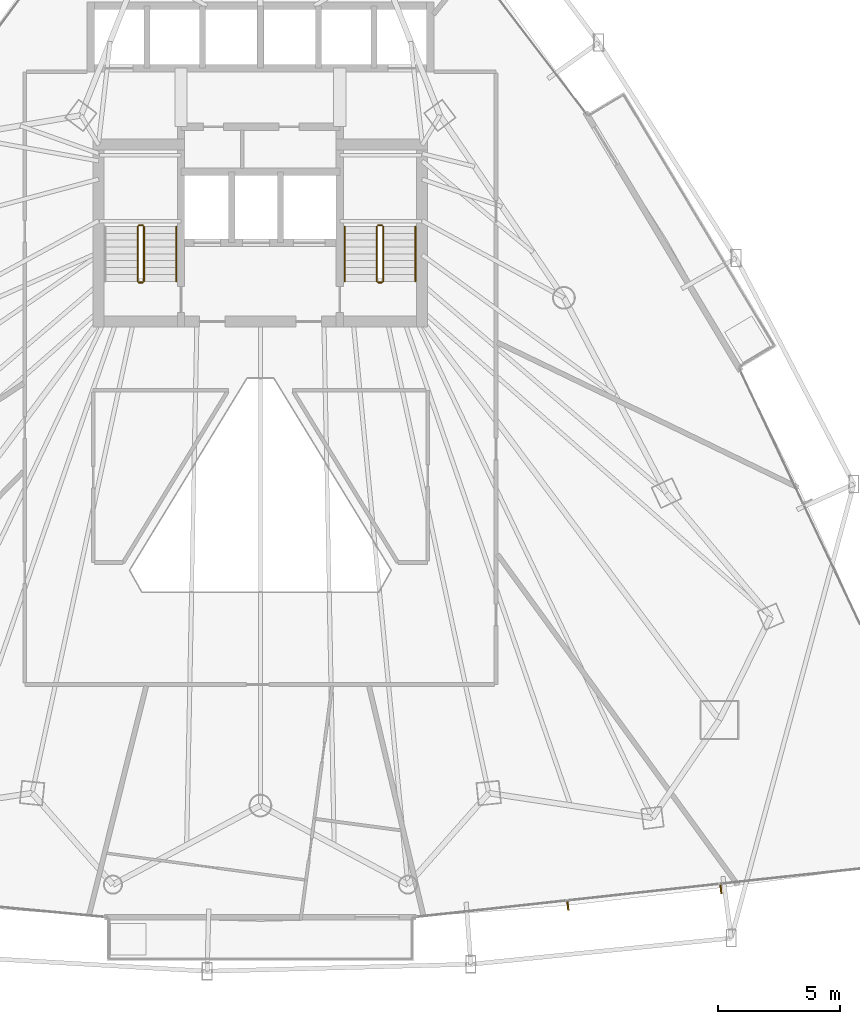
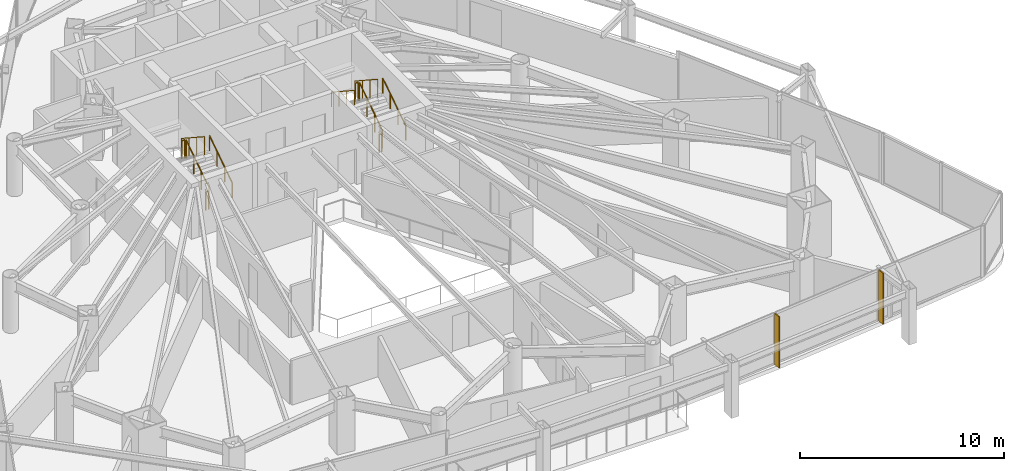
# One storey, part 32 of 33: 11 railings, 2 shading devices.
"""IFC4 building model written with IfcOpenShell, lengths in metres."""

from ifc_helpers import new_model, si_unit, direction, frame, origin, origin_2d, place, context, subcontext, project, spatial, rectangle, circle, extrude, material, layer, layer_set, type_object, element, save


model = new_model("IFC4")

# Units and contexts
model_context = context("Model", 3, precision=1e-05, world=origin(), true_north=direction((0.0, 1.0)))
body_context = subcontext(model_context, "Body", "Model", "MODEL_VIEW")
ifc_project = project(units=[si_unit("LENGTHUNIT", "METRE"), si_unit("AREAUNIT", "SQUARE_METRE"), si_unit("VOLUMEUNIT", "CUBIC_METRE"), si_unit("PLANEANGLEUNIT", "RADIAN"), si_unit("MASSUNIT", "GRAM", prefix="KILO")], contexts=[model_context])

# Site, building, storey
site_placement = place(None, origin())
site = spatial("IfcSite", under=ifc_project, at=site_placement, CompositionType="ELEMENT")
building_placement = place(site_placement, origin())
building = spatial("IfcBuilding", under=site, at=building_placement, Name="Orvanel Arch Residences", CompositionType="ELEMENT")
storey_placement = place(building_placement, frame((0.0, 0.0, 84.050048828125)))
storey = spatial("IfcBuildingStorey", under=building, at=storey_placement, Name="L23", CompositionType="ELEMENT", Elevation=84.050048828125)

# Shading devices
ifc_material_1 = material(Name="Bronze-anodised aluminium AA6063-T6", Category="aluminium")
ifc_layer = layer(ifc_material_1, 0.06005859375)
ifc_layer_set = layer_set([ifc_layer], Name="Bronze-anodised aluminium AA6063-T6")
shading_device_type = type_object("IfcShadingDeviceType", Name="FIN-BRZ-380", PredefinedType="USERDEFINED", material=ifc_layer_set)
for number, where, z_axis, x_axis, name in (
    (1, (45.593994140625, 2.739013671875, 0.0), (0.0, 0.0, 1.0), (0.107999355706, -0.994150963972, 0.0), "L23 Anodised Bronze Mullion FIN 01"),
    (2, (51.863037109375, 3.422119140625, 0.0), (0.0, 0.0, 1.0), (0.107999355706, -0.994150963972, 0.0), "L23 Anodised Bronze Mullion FIN 02"),
):
    element("IfcShadingDevice", number, at=place(storey_placement, frame(where, z_axis=z_axis, x_axis=x_axis)), inside=storey, type_object=shading_device_type, Name=name, ObjectType="FIN", PredefinedType="USERDEFINED", context=body_context, shape_type="SweptSolid", body=[
        extrude(rectangle(XDim=0.3798828125, YDim=0.06005859375, at=origin_2d()), origin(), (0.0, 0.0, 1.0), 3.06005859375),
    ])

# Railings
ifc_material_2 = material(Name="Structural steel AS/NZS 1163 C350L0 (Grade 350)", Category="steel")
railing_type_1 = type_object("IfcRailingType", Name="RL-STAIR-GUARD", PredefinedType="GUARDRAIL", material=ifc_material_2)
railing_1_placement = place(storey_placement, frame((28.22998046875, 28.320068359375, 0.183349609375)))
element("IfcRailing", 3, at=railing_1_placement, inside=storey, type_object=railing_type_1, Name="L23 ST-1 stair guard 1", PredefinedType="GUARDRAIL", context=body_context, shape_type="SweptSolid", body=[
    extrude(circle(Radius=0.02392578125, at=origin_2d()), frame((0.0, 0.001220703125, 1.076904296875), z_axis=(0.0, 0.836636935527, 0.547757827979), x_axis=(-1.0, 0.0, 0.0)), (0.0, 0.0, 1.0), 2.67431640625),
    extrude(circle(Radius=0.02099609375, at=origin_2d()), origin(), (0.0, 0.0, 1.0), 1.050048828125),
    extrude(circle(Radius=0.02099609375, at=origin_2d()), frame((0.0, 0.74658203125, 0.48876953125)), (0.0, 0.0, 1.0), 1.050048828125),
    extrude(circle(Radius=0.02099609375, at=origin_2d()), frame((0.0, 1.493408203125, 0.977783203125)), (0.0, 0.0, 1.0), 1.050048828125),
    extrude(circle(Radius=0.02099609375, at=origin_2d()), frame((0.0, 2.239990234375, 1.466552734375)), (0.0, 0.0, 1.0), 1.050048828125),
])
railing_2_placement = place(storey_placement, frame((28.179931640625, 30.610107421875, 1.64990234375)))
element("IfcRailing", 4, at=railing_2_placement, inside=storey, type_object=railing_type_1, Name="L23 ST-1 stair guard 2", PredefinedType="GUARDRAIL", context=body_context, shape_type="SweptSolid", body=[
    extrude(circle(Radius=0.02392578125, at=origin_2d()), frame((-0.00146484375, 0.0, 1.076171875), z_axis=(-1.0, 0.0, 0.0), x_axis=(0.0, -1.0, 0.0)), (0.0, 0.0, 1.0), 0.156982421875),
    extrude(circle(Radius=0.02099609375, at=origin_2d()), origin(), (0.0, 0.0, 1.0), 1.050048828125),
    extrude(circle(Radius=0.02099609375, at=origin_2d()), frame((-0.159912109375, 0.0, 0.0)), (0.0, 0.0, 1.0), 1.050048828125),
])
railing_3_placement = place(storey_placement, frame((27.969970703125, 30.56005859375, 1.833251953125)))
element("IfcRailing", 5, at=railing_3_placement, inside=storey, type_object=railing_type_1, Name="L23 ST-1 stair guard 3", PredefinedType="GUARDRAIL", context=body_context, shape_type="SweptSolid", body=[
    extrude(circle(Radius=0.02392578125, at=origin_2d()), frame((0.0, -0.001220703125, 1.076904296875), z_axis=(0.0, -0.836595146698, 0.547821650285), x_axis=(1.0, 0.0, 0.0)), (0.0, 0.0, 1.0), 2.674560546875),
    extrude(circle(Radius=0.02099609375, at=origin_2d()), origin(), (0.0, 0.0, 1.0), 1.050048828125),
    extrude(circle(Radius=0.02099609375, at=origin_2d()), frame((0.0, -0.74658203125, 0.489013671875)), (0.0, 0.0, 1.0), 1.050048828125),
    extrude(circle(Radius=0.02099609375, at=origin_2d()), frame((0.0, -1.493408203125, 0.977783203125)), (0.0, 0.0, 1.0), 1.050048828125),
    extrude(circle(Radius=0.02099609375, at=origin_2d()), frame((0.0, -2.239990234375, 1.466796875)), (0.0, 0.0, 1.0), 1.050048828125),
])
railing_4_placement = place(storey_placement, frame((28.179931640625, 28.27001953125, 0.0)))
element("IfcRailing", 6, at=railing_4_placement, inside=storey, type_object=railing_type_1, Name="L23 ST-1 stair guard 4", PredefinedType="GUARDRAIL", context=body_context, shape_type="SweptSolid", body=[
    extrude(circle(Radius=0.02392578125, at=origin_2d()), frame((-0.00146484375, 0.0, 1.076171875), z_axis=(-1.0, 0.0, 0.0), x_axis=(0.0, -1.0, 0.0)), (0.0, 0.0, 1.0), 0.156982421875),
    extrude(circle(Radius=0.02099609375, at=origin_2d()), origin(), (0.0, 0.0, 1.0), 1.050048828125),
    extrude(circle(Radius=0.02099609375, at=origin_2d()), frame((-0.159912109375, 0.0, 0.0)), (0.0, 0.0, 1.0), 1.050048828125),
])
railing_5_placement = place(storey_placement, frame((38.030029296875, 28.320068359375, 0.183349609375)))
element("IfcRailing", 7, at=railing_5_placement, inside=storey, type_object=railing_type_1, Name="L23 ST-2 stair guard 1", PredefinedType="GUARDRAIL", context=body_context, shape_type="SweptSolid", body=[
    extrude(circle(Radius=0.02392578125, at=origin_2d()), frame((0.0, 0.001220703125, 1.076904296875), z_axis=(0.0, 0.836636935527, 0.547757827979), x_axis=(-1.0, 0.0, 0.0)), (0.0, 0.0, 1.0), 2.67431640625),
    extrude(circle(Radius=0.02099609375, at=origin_2d()), origin(), (0.0, 0.0, 1.0), 1.050048828125),
    extrude(circle(Radius=0.02099609375, at=origin_2d()), frame((0.0, 0.74658203125, 0.48876953125)), (0.0, 0.0, 1.0), 1.050048828125),
    extrude(circle(Radius=0.02099609375, at=origin_2d()), frame((0.0, 1.493408203125, 0.977783203125)), (0.0, 0.0, 1.0), 1.050048828125),
    extrude(circle(Radius=0.02099609375, at=origin_2d()), frame((0.0, 2.239990234375, 1.466552734375)), (0.0, 0.0, 1.0), 1.050048828125),
])
railing_6_placement = place(storey_placement, frame((37.97998046875, 30.610107421875, 1.64990234375)))
element("IfcRailing", 8, at=railing_6_placement, inside=storey, type_object=railing_type_1, Name="L23 ST-2 stair guard 2", PredefinedType="GUARDRAIL", context=body_context, shape_type="SweptSolid", body=[
    extrude(circle(Radius=0.02392578125, at=origin_2d()), frame((-0.00146484375, 0.0, 1.076171875), z_axis=(-1.0, 0.0, 0.0), x_axis=(0.0, -1.0, 0.0)), (0.0, 0.0, 1.0), 0.156982421875),
    extrude(circle(Radius=0.02099609375, at=origin_2d()), origin(), (0.0, 0.0, 1.0), 1.050048828125),
    extrude(circle(Radius=0.02099609375, at=origin_2d()), frame((-0.159912109375, 0.0, 0.0)), (0.0, 0.0, 1.0), 1.050048828125),
])
railing_7_placement = place(storey_placement, frame((37.77001953125, 30.56005859375, 1.833251953125)))
element("IfcRailing", 9, at=railing_7_placement, inside=storey, type_object=railing_type_1, Name="L23 ST-2 stair guard 3", PredefinedType="GUARDRAIL", context=body_context, shape_type="SweptSolid", body=[
    extrude(circle(Radius=0.02392578125, at=origin_2d()), frame((0.0, -0.001220703125, 1.076904296875), z_axis=(0.0, -0.836595146698, 0.547821650285), x_axis=(1.0, 0.0, 0.0)), (0.0, 0.0, 1.0), 2.674560546875),
    extrude(circle(Radius=0.02099609375, at=origin_2d()), origin(), (0.0, 0.0, 1.0), 1.050048828125),
    extrude(circle(Radius=0.02099609375, at=origin_2d()), frame((0.0, -0.74658203125, 0.489013671875)), (0.0, 0.0, 1.0), 1.050048828125),
    extrude(circle(Radius=0.02099609375, at=origin_2d()), frame((0.0, -1.493408203125, 0.977783203125)), (0.0, 0.0, 1.0), 1.050048828125),
    extrude(circle(Radius=0.02099609375, at=origin_2d()), frame((0.0, -2.239990234375, 1.466796875)), (0.0, 0.0, 1.0), 1.050048828125),
])
railing_8_placement = place(storey_placement, frame((37.97998046875, 28.27001953125, 0.0)))
element("IfcRailing", 10, at=railing_8_placement, inside=storey, type_object=railing_type_1, Name="L23 ST-2 stair guard 4", PredefinedType="GUARDRAIL", context=body_context, shape_type="SweptSolid", body=[
    extrude(circle(Radius=0.02392578125, at=origin_2d()), frame((-0.00146484375, 0.0, 1.076171875), z_axis=(-1.0, 0.0, 0.0), x_axis=(0.0, -1.0, 0.0)), (0.0, 0.0, 1.0), 0.156982421875),
    extrude(circle(Radius=0.02099609375, at=origin_2d()), origin(), (0.0, 0.0, 1.0), 1.050048828125),
    extrude(circle(Radius=0.02099609375, at=origin_2d()), frame((-0.159912109375, 0.0, 0.0)), (0.0, 0.0, 1.0), 1.050048828125),
])
railing_type_2 = type_object("IfcRailingType", Name="RL-STAIR-HAND", PredefinedType="HANDRAIL", material=ifc_material_2)
for number, where, name in (
    (11, (29.550048828125, 28.320068359375, 0.183349609375), "L23 ST-1 stair handrail 1"),
    (12, (39.35009765625, 28.320068359375, 0.183349609375), "L23 ST-2 stair handrail 1"),
):
    element("IfcRailing", number, at=place(storey_placement, frame(where)), inside=storey, type_object=railing_type_2, Name=name, PredefinedType="HANDRAIL", context=body_context, shape_type="SweptSolid", body=[
        extrude(circle(Radius=0.02392578125, at=origin_2d()), frame((0.0, 0.001220703125, 0.876708984375), z_axis=(0.0, 0.836636935527, 0.547757827979), x_axis=(-1.0, 0.0, 0.0)), (0.0, 0.0, 1.0), 2.67431640625),
        extrude(circle(Radius=0.02099609375, at=origin_2d()), origin(), (0.0, 0.0, 1.0), 0.849853515625),
        extrude(circle(Radius=0.02099609375, at=origin_2d()), frame((0.0, 0.74658203125, 0.48876953125)), (0.0, 0.0, 1.0), 0.849853515625),
        extrude(circle(Radius=0.02099609375, at=origin_2d()), frame((0.0, 1.493408203125, 0.977783203125)), (0.0, 0.0, 1.0), 0.849853515625),
        extrude(circle(Radius=0.02099609375, at=origin_2d()), frame((0.0, 2.239990234375, 1.466552734375)), (0.0, 0.0, 1.0), 0.849853515625),
    ])
railing_9_placement = place(storey_placement, frame((36.449951171875, 30.56005859375, 1.833251953125)))
element("IfcRailing", 13, at=railing_9_placement, inside=storey, type_object=railing_type_2, Name="L23 ST-2 stair handrail 2", PredefinedType="HANDRAIL", context=body_context, shape_type="SweptSolid", body=[
    extrude(circle(Radius=0.02392578125, at=origin_2d()), frame((0.0, -0.001220703125, 0.876708984375), z_axis=(0.0, -0.836595146698, 0.547821650285), x_axis=(1.0, 0.0, 0.0)), (0.0, 0.0, 1.0), 2.674560546875),
    extrude(circle(Radius=0.02099609375, at=origin_2d()), origin(), (0.0, 0.0, 1.0), 0.849853515625),
    extrude(circle(Radius=0.02099609375, at=origin_2d()), frame((0.0, -0.74658203125, 0.489013671875)), (0.0, 0.0, 1.0), 0.849853515625),
    extrude(circle(Radius=0.02099609375, at=origin_2d()), frame((0.0, -1.493408203125, 0.977783203125)), (0.0, 0.0, 1.0), 0.849853515625),
    extrude(circle(Radius=0.02099609375, at=origin_2d()), frame((0.0, -2.239990234375, 1.466796875)), (0.0, 0.0, 1.0), 0.849853515625),
])

save(model, "model.ifc")
